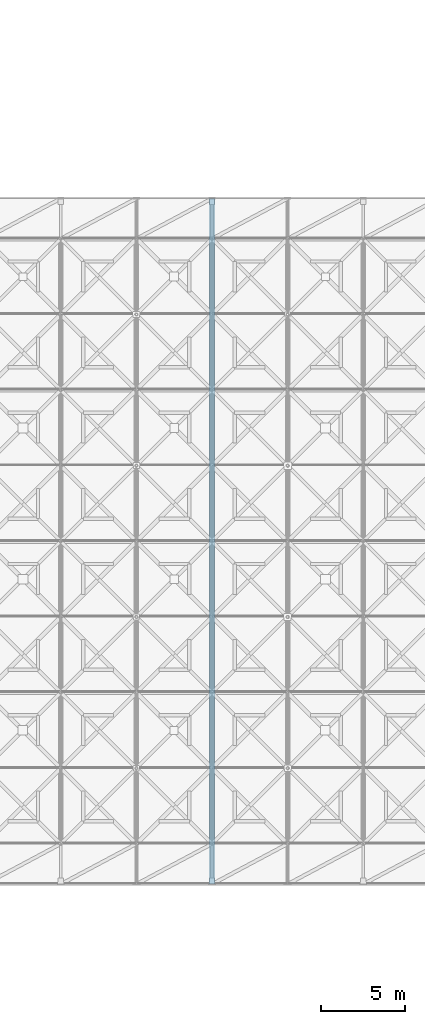
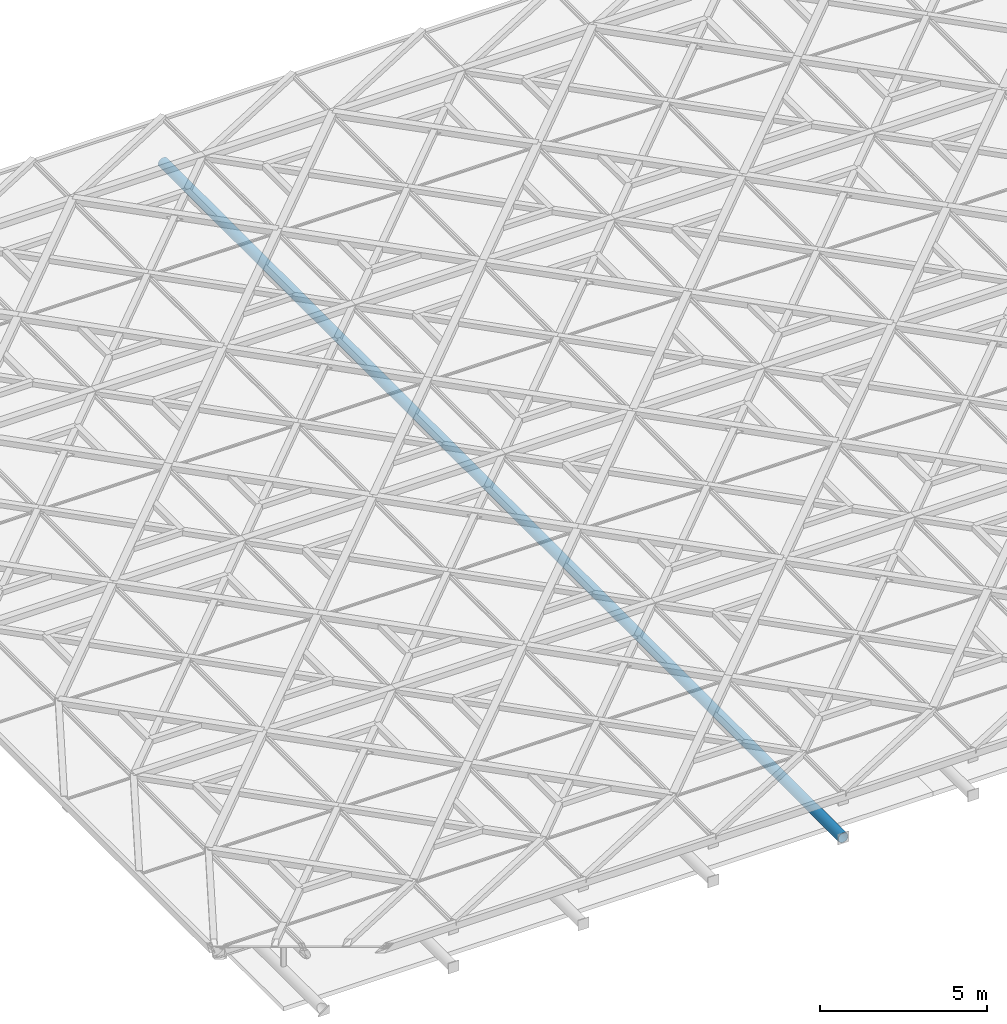
# One storey, part 30 of 80: 1 member.
"""IFC4 building model written with IfcOpenShell, lengths in metres."""

from ifc_helpers import new_model, si_unit, direction, frame, origin, origin_2d, place, context, subcontext, project, spatial, hollow_circle, extrude, material, material_profile, profile_set, type_object, element, save


model = new_model("IFC4")

# Units and contexts
model_context = context("Model", 3, precision=1e-05, world=origin(), true_north=direction((0.0, 1.0)))
body_context = subcontext(model_context, "Body", "Model", "MODEL_VIEW")
ifc_project = project(units=[si_unit("LENGTHUNIT", "METRE"), si_unit("AREAUNIT", "SQUARE_METRE"), si_unit("VOLUMEUNIT", "CUBIC_METRE"), si_unit("PLANEANGLEUNIT", "RADIAN"), si_unit("MASSUNIT", "GRAM", prefix="KILO"), si_unit("THERMODYNAMICTEMPERATUREUNIT", "KELVIN"), si_unit("POWERUNIT", "WATT")], contexts=[model_context])

# Site, building, storey
site_placement = place(None, origin())
site = spatial("IfcSite", under=ifc_project, at=site_placement, CompositionType="ELEMENT")
building_placement = place(site_placement, origin())
building = spatial("IfcBuilding", under=site, at=building_placement, Name="Tallowbark Science Centre", CompositionType="ELEMENT")
storey_placement = place(building_placement, frame((0.0, 0.0, 25.949951171875)))
storey = spatial("IfcBuildingStorey", under=building, at=storey_placement, Name="ROOF", CompositionType="ELEMENT", Elevation=25.949951171875)

# Member
ifc_material = material(Name="White Architectural Painted Steel Grade C350L0 (350 MPa)", Category="steel")
ifc_material_profile = material_profile(ifc_material, hollow_circle(Radius=0.177734375, WallThickness=0.0126953125, at=origin_2d()), Name="355.6x12.7CHS")
ifc_profile_set = profile_set([ifc_material_profile], Name="White Architectural Painted Steel Grade C350L0 (350 MPa)")
member_type = type_object("IfcMemberType", Name="TR-CHD355", PredefinedType="CHORD", material=ifc_profile_set)
member_placement = place(storey_placement, frame((76.5, 2.10009765625, -1.199951171875), z_axis=(0.0, 1.0, 0.0), x_axis=(-1.0, 0.0, 0.0)))
element("IfcMember", 1, at=member_placement, inside=storey, type_object=member_type, Name="Exhibition Roof Truss Bottom Chord 5", PredefinedType="CHORD", context=body_context, shape_type="SweptSolid", body=[
    extrude(hollow_circle(Radius=0.177734375, WallThickness=0.0126953125, at=origin_2d()), origin(), (0.0, 0.0, 1.0), 40.7998046875),
])

save(model, "model.ifc")
